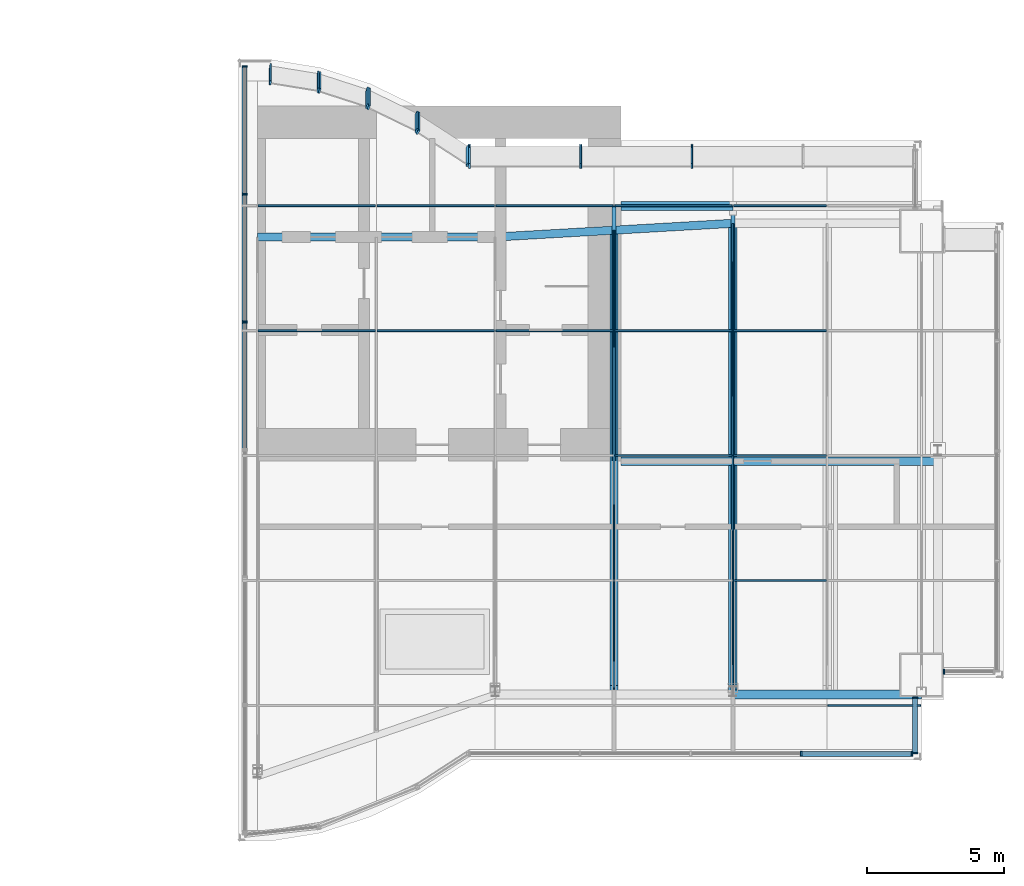
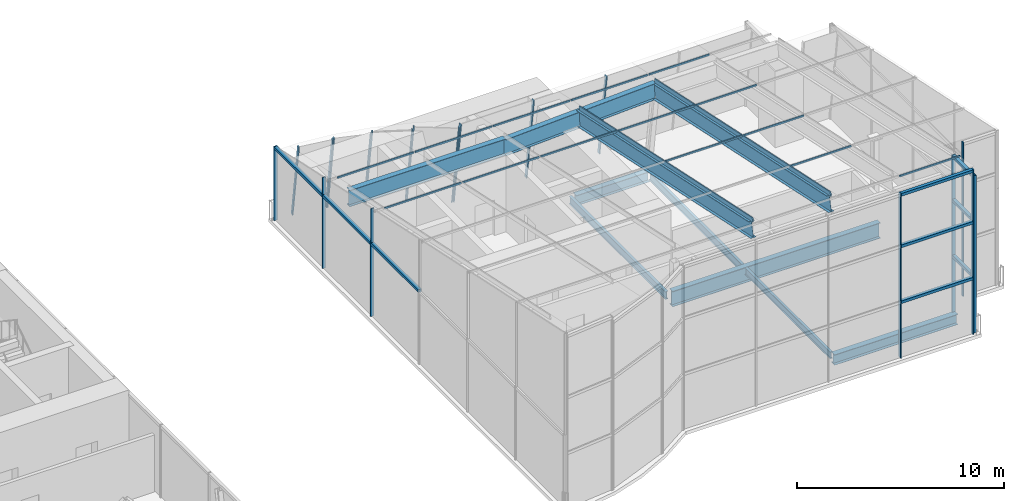
# One storey, part 6 of 17: 46 members, 10 beams, 11 elements without a shape of their own.
"""IFC4 building model written with IfcOpenShell, lengths in metres."""

from ifc_helpers import new_model, si_unit, direction, frame, origin, origin_2d, place, context, subcontext, project, spatial, rectangle, i_section, extrude, material, material_profile, profile_set, type_object, element, aggregate, save


model = new_model("IFC4")

# Units and contexts
model_context = context("Model", 3, precision=1e-05, world=origin(), true_north=direction((0.0, 1.0)))
body_context = subcontext(model_context, "Body", "Model", "MODEL_VIEW")
ifc_project = project(units=[si_unit("LENGTHUNIT", "METRE"), si_unit("AREAUNIT", "SQUARE_METRE"), si_unit("VOLUMEUNIT", "CUBIC_METRE"), si_unit("PLANEANGLEUNIT", "RADIAN"), si_unit("MASSUNIT", "GRAM", prefix="KILO")], contexts=[model_context])

# Site, building, storey
site_placement = place(None, origin())
site = spatial("IfcSite", under=ifc_project, at=site_placement, CompositionType="ELEMENT")
building_placement = place(site_placement, origin())
building = spatial("IfcBuilding", under=site, at=building_placement, Name="Bicima Exchange Tower", CompositionType="ELEMENT")
storey_placement = place(building_placement, frame((0.0, 0.0, 356.89990234375)))
storey = spatial("IfcBuildingStorey", under=building, at=storey_placement, Name="L80", CompositionType="ELEMENT", Elevation=356.89990234375)

# Beam
ifc_material_1 = material(Name="Steel ASTM A992 Gr 50", Category="steel")
ifc_material_profile_1 = material_profile(ifc_material_1, i_section(OverallWidth=0.3046875, OverallDepth=0.911865234375, WebThickness=0.015869140625, FlangeThickness=0.02392578125, at=origin_2d()))
ifc_profile_set_1 = profile_set([ifc_material_profile_1], Name="Steel ASTM A992 Gr 50")
beam_type_1 = type_object("IfcBeamType", Name="Core-line girder W36x150", PredefinedType="BEAM", material=ifc_profile_set_1)
beam_1_placement = place(storey_placement, frame((22.0, -13.0, -0.65576171875), z_axis=(1.0, 0.0, 0.0), x_axis=(0.0, 1.0, 0.0)))
element("IfcBeam", 1, at=beam_1_placement, inside=storey, type_object=beam_type_1, Name="Core-line girder", PredefinedType="BEAM", context=body_context, shape_type="SweptSolid", body=[
    extrude(i_section(OverallWidth=0.3046875, OverallDepth=0.911865234375, WebThickness=0.015869140625, FlangeThickness=0.02392578125, at=origin_2d()), origin(), (0.0, 0.0, 1.0), 11.60009765625),
])

# Curtain wall, members
ifc_material_2 = material(Name="Anodised bronze aluminium", Category="aluminium")
curtain_wall_type = type_object("IfcCurtainWallType", Name="Crown glass wall", PredefinedType="NOTDEFINED", material=ifc_material_2)
curtain_wall_1_placement = place(storey_placement, origin())
curtain_wall_1 = element("IfcCurtainWall", 2, at=curtain_wall_1_placement, inside=storey, type_object=curtain_wall_type, Name="Crown glass wall L80 run 8", PredefinedType="NOTDEFINED")
ifc_material_profile_2 = material_profile(ifc_material_2, rectangle(XDim=0.179931640625, YDim=0.06005859375, at=origin_2d()))
ifc_profile_set_2 = profile_set([ifc_material_profile_2], Name="Anodised bronze aluminium")
member_type_1 = type_object("IfcMemberType", Name="Crown glass wall mullion 60 x 180", PredefinedType="MULLION", material=ifc_profile_set_2)
member_1_placement = place(storey_placement, frame((8.22998046875, 1.43798828125, 0.0), z_axis=(0.0, 0.0, 1.0), x_axis=(1.0, 0.0, 0.0)))
member_1 = element("IfcMember", 3, at=member_1_placement, type_object=member_type_1, Name="Crown glass wall mullion 1", PredefinedType="MULLION", context=body_context, shape_type="SweptSolid", body=[
    extrude(rectangle(XDim=0.179931640625, YDim=0.06005859375, at=origin_2d()), origin(), (0.0, 0.0, 1.0), 4.36962890625),
])
member_2_placement = place(storey_placement, frame((8.22998046875, -3.227783203125, 0.0), z_axis=(0.0, 0.0, 1.0), x_axis=(1.0, 0.0, 0.0)))
member_2 = element("IfcMember", 4, at=member_2_placement, type_object=member_type_1, Name="Crown glass wall mullion 2", PredefinedType="MULLION", context=body_context, shape_type="SweptSolid", body=[
    extrude(rectangle(XDim=0.179931640625, YDim=0.06005859375, at=origin_2d()), origin(), (0.0, 0.0, 1.0), 4.36962890625),
])
member_3_placement = place(storey_placement, frame((8.22998046875, -7.8935546875, 0.0), z_axis=(0.0, 0.0, 1.0), x_axis=(1.0, 0.0, 0.0)))
member_3 = element("IfcMember", 5, at=member_3_placement, type_object=member_type_1, Name="Crown glass wall mullion 3", PredefinedType="MULLION", context=body_context, shape_type="SweptSolid", body=[
    extrude(rectangle(XDim=0.179931640625, YDim=0.06005859375, at=origin_2d()), origin(), (0.0, 0.0, 1.0), 4.36962890625),
])

curtain_wall_2_placement = place(storey_placement, origin())
curtain_wall_2 = element("IfcCurtainWall", 6, at=curtain_wall_2_placement, inside=storey, type_object=curtain_wall_type, Name="Crown glass wall L80 run 12", PredefinedType="NOTDEFINED")
member_4_placement = place(storey_placement, frame((28.60302734375, -23.714111328125, 0.0), z_axis=(0.0, 0.0, 1.0), x_axis=(0.0, 1.0, 0.0)))
member_4 = element("IfcMember", 7, at=member_4_placement, type_object=member_type_1, Name="Crown glass wall mullion 4", PredefinedType="MULLION", context=body_context, shape_type="SweptSolid", body=[
    extrude(rectangle(XDim=0.179931640625, YDim=0.06005859375, at=origin_2d()), origin(), (0.0, 0.0, 1.0), 9.72216796875),
])
member_5_placement = place(storey_placement, frame((32.64990234375, -23.714111328125, 0.0), z_axis=(0.0, 0.0, 1.0), x_axis=(0.0, 1.0, 0.0)))
member_5 = element("IfcMember", 8, at=member_5_placement, type_object=member_type_1, Name="Crown glass wall mullion 5", PredefinedType="MULLION", context=body_context, shape_type="SweptSolid", body=[
    extrude(rectangle(XDim=0.179931640625, YDim=0.06005859375, at=origin_2d()), origin(), (0.0, 0.0, 1.0), 9.72216796875),
])

curtain_wall_3_placement = place(storey_placement, origin())
curtain_wall_3 = element("IfcCurtainWall", 9, at=curtain_wall_3_placement, inside=storey, type_object=curtain_wall_type, Name="Crown glass wall L80 run 13", PredefinedType="NOTDEFINED")
member_6_placement = place(storey_placement, frame((32.77001953125, -23.68408203125, 0.0), z_axis=(0.0, 0.0, 1.0), x_axis=(-1.0, 0.0, 0.0)))
member_6 = element("IfcMember", 10, at=member_6_placement, type_object=member_type_1, Name="Crown glass wall mullion 1", PredefinedType="MULLION", context=body_context, shape_type="SweptSolid", body=[
    extrude(rectangle(XDim=0.179931640625, YDim=0.06005859375, at=origin_2d()), origin(), (0.0, 0.0, 1.0), 9.277587890625),
])
member_7_placement = place(storey_placement, frame((32.77001953125, -21.652099609375, 0.0), z_axis=(0.0, 0.0, 1.0), x_axis=(-1.0, 0.0, 0.0)))
member_7 = element("IfcMember", 11, at=member_7_placement, type_object=member_type_1, Name="Crown glass wall mullion 2", PredefinedType="MULLION", context=body_context, shape_type="SweptSolid", body=[
    extrude(rectangle(XDim=0.179931640625, YDim=0.06005859375, at=origin_2d()), origin(), (0.0, 0.0, 1.0), 9.277587890625),
])

# Curtain wall, member
curtain_wall_4_placement = place(storey_placement, origin())
curtain_wall_4 = element("IfcCurtainWall", 12, at=curtain_wall_4_placement, inside=storey, type_object=curtain_wall_type, Name="Crown glass wall L80 run 14", PredefinedType="NOTDEFINED")
member_8_placement = place(storey_placement, frame((33.830078125, -20.714111328125, 0.0), z_axis=(0.0, 0.0, 1.0), x_axis=(0.0, 1.0, 0.0)))
member_8 = element("IfcMember", 13, at=member_8_placement, type_object=member_type_1, Name="Crown glass wall mullion 1", PredefinedType="MULLION", context=body_context, shape_type="SweptSolid", body=[
    extrude(rectangle(XDim=0.179931640625, YDim=0.06005859375, at=origin_2d()), origin(), (0.0, 0.0, 1.0), 9.08447265625),
])
aggregate(curtain_wall_4, [member_8])

# Curtain wall, members
curtain_wall_5_placement = place(storey_placement, origin())
curtain_wall_5 = element("IfcCurtainWall", 14, at=curtain_wall_5_placement, inside=storey, type_object=curtain_wall_type, Name="Crown tilted glass L80 2.1", PredefinedType="NOTDEFINED")
member_9_placement = place(storey_placement, frame((24.60107421875, -1.494873046875, 0.0), z_axis=(0.0, -0.139173327963, 0.990268036838), x_axis=(0.0, -0.990268036838, -0.139173327963)))
member_9 = element("IfcMember", 15, at=member_9_placement, type_object=member_type_1, Name="Crown tilted mullion 3", PredefinedType="MULLION", context=body_context, shape_type="SweptSolid", body=[
    extrude(rectangle(XDim=0.179931640625, YDim=0.06005859375, at=origin_2d()), origin(), (0.0, 0.0, 1.0), 5.048583984375),
])
member_10_placement = place(storey_placement, frame((20.531494140625, -1.494873046875, 0.0), z_axis=(0.0, -0.139173327963, 0.990268036838), x_axis=(0.0, -0.990268036838, -0.139173327963)))
member_10 = element("IfcMember", 16, at=member_10_placement, type_object=member_type_1, Name="Crown tilted mullion 4", PredefinedType="MULLION", context=body_context, shape_type="SweptSolid", body=[
    extrude(rectangle(XDim=0.179931640625, YDim=0.06005859375, at=origin_2d()), origin(), (0.0, 0.0, 1.0), 5.048583984375),
])
member_11_placement = place(storey_placement, frame((16.462158203125, -1.494873046875, 0.0), z_axis=(0.0, -0.139173327963, 0.990268036838), x_axis=(0.0, -0.990268036838, -0.139173327963)))
member_11 = element("IfcMember", 17, at=member_11_placement, type_object=member_type_1, Name="Crown tilted mullion 5", PredefinedType="MULLION", context=body_context, shape_type="SweptSolid", body=[
    extrude(rectangle(XDim=0.179931640625, YDim=0.06005859375, at=origin_2d()), origin(), (0.0, 0.0, 1.0), 5.048583984375),
])
aggregate(curtain_wall_5, [member_9, member_10, member_11])

curtain_wall_6_placement = place(storey_placement, origin())
curtain_wall_6 = element("IfcCurtainWall", 18, at=curtain_wall_6_placement, inside=storey, type_object=curtain_wall_type, Name="Crown tilted glass L80 3.1", PredefinedType="NOTDEFINED")
member_12_placement = place(storey_placement, frame((16.406982421875, -1.478515625, 0.0), z_axis=(0.0, -0.139207953343, 0.990263169933), x_axis=(-0.542910648791, -0.831613569321, -0.116905512062)))
member_12 = element("IfcMember", 19, at=member_12_placement, type_object=member_type_1, Name="Crown tilted mullion 1", PredefinedType="MULLION", context=body_context, shape_type="SweptSolid", body=[
    extrude(rectangle(XDim=0.179931640625, YDim=0.06005859375, at=origin_2d()), origin(), (0.0, 0.0, 1.0), 4.787841796875),
])
member_13_placement = place(storey_placement, frame((14.578857421875, -0.296875, 0.0), z_axis=(0.0, -0.139157949051, 0.990270198085), x_axis=(-0.542910648791, -0.831619471496, -0.116863518935)))
member_13 = element("IfcMember", 20, at=member_13_placement, type_object=member_type_1, Name="Crown tilted mullion 2", PredefinedType="MULLION", context=body_context, shape_type="SweptSolid", body=[
    extrude(rectangle(XDim=0.179931640625, YDim=0.06005859375, at=origin_2d()), origin(), (0.0, 0.0, 1.0), 4.787841796875),
])
aggregate(curtain_wall_6, [member_12, member_13])

curtain_wall_7_placement = place(storey_placement, origin())
curtain_wall_7 = element("IfcCurtainWall", 21, at=curtain_wall_7_placement, inside=storey, type_object=curtain_wall_type, Name="Crown tilted glass L80 4.1", PredefinedType="NOTDEFINED")
member_14_placement = place(storey_placement, frame((14.526611328125, -0.267333984375, 0.0), z_axis=(0.0, -0.139214170974, 0.990262295859), x_axis=(-0.436264762204, -0.89105618197, -0.125267465179)))
member_14 = element("IfcMember", 22, at=member_14_placement, type_object=member_type_1, Name="Crown tilted mullion 1", PredefinedType="MULLION", context=body_context, shape_type="SweptSolid", body=[
    extrude(rectangle(XDim=0.179931640625, YDim=0.06005859375, at=origin_2d()), origin(), (0.0, 0.0, 1.0), 4.599853515625),
])
member_15_placement = place(storey_placement, frame((12.7744140625, 0.582275390625, 0.0), z_axis=(0.0, -0.139214170974, 0.990262295859), x_axis=(-0.436264762204, -0.89105618197, -0.125267465179)))
member_15 = element("IfcMember", 23, at=member_15_placement, type_object=member_type_1, Name="Crown tilted mullion 2", PredefinedType="MULLION", context=body_context, shape_type="SweptSolid", body=[
    extrude(rectangle(XDim=0.179931640625, YDim=0.06005859375, at=origin_2d()), origin(), (0.0, 0.0, 1.0), 4.599853515625),
])
aggregate(curtain_wall_7, [member_14, member_15])

curtain_wall_8_placement = place(storey_placement, origin())
curtain_wall_8 = element("IfcCurtainWall", 24, at=curtain_wall_8_placement, inside=storey, type_object=curtain_wall_type, Name="Crown tilted glass L80 5.1", PredefinedType="NOTDEFINED")
member_16_placement = place(storey_placement, frame((12.71875, 0.6044921875, 0.0), z_axis=(0.0, -0.139175418029, 0.990267743096), x_axis=(-0.307572519808, -0.942264160111, -0.132428839868)))
member_16 = element("IfcMember", 25, at=member_16_placement, type_object=member_type_1, Name="Crown tilted mullion 1", PredefinedType="MULLION", context=body_context, shape_type="SweptSolid", body=[
    extrude(rectangle(XDim=0.179931640625, YDim=0.06005859375, at=origin_2d()), origin(), (0.0, 0.0, 1.0), 4.474853515625),
])
member_17_placement = place(storey_placement, frame((10.974609375, 1.168212890625, 0.0), z_axis=(0.0, -0.139121916981, 0.990275260832), x_axis=(-0.307572519808, -0.942271313422, -0.132377932303)))
member_17 = element("IfcMember", 26, at=member_17_placement, type_object=member_type_1, Name="Crown tilted mullion 2", PredefinedType="MULLION", context=body_context, shape_type="SweptSolid", body=[
    extrude(rectangle(XDim=0.179931640625, YDim=0.06005859375, at=origin_2d()), origin(), (0.0, 0.0, 1.0), 4.474853515625),
])
aggregate(curtain_wall_8, [member_16, member_17])

curtain_wall_9_placement = place(storey_placement, origin())
curtain_wall_9 = element("IfcCurtainWall", 27, at=curtain_wall_9_placement, inside=storey, type_object=curtain_wall_type, Name="Crown tilted glass L80 6.1", PredefinedType="NOTDEFINED")
member_18_placement = place(storey_placement, frame((10.91650390625, 1.182373046875, 0.0), z_axis=(0.0, -0.139205662411, 0.990263491982), x_axis=(-0.159550386184, -0.977578005078, -0.137422408134)))
member_18 = element("IfcMember", 28, at=member_18_placement, type_object=member_type_1, Name="Crown tilted mullion 1", PredefinedType="MULLION", context=body_context, shape_type="SweptSolid", body=[
    extrude(rectangle(XDim=0.179931640625, YDim=0.06005859375, at=origin_2d()), origin(), (0.0, 0.0, 1.0), 4.41259765625),
])
member_19_placement = place(storey_placement, frame((9.177734375, 1.46337890625, 0.0), z_axis=(0.0, -0.139205662411, 0.990263491982), x_axis=(-0.159550386184, -0.977578005078, -0.137422408134)))
member_19 = element("IfcMember", 29, at=member_19_placement, type_object=member_type_1, Name="Crown tilted mullion 2", PredefinedType="MULLION", context=body_context, shape_type="SweptSolid", body=[
    extrude(rectangle(XDim=0.179931640625, YDim=0.06005859375, at=origin_2d()), origin(), (0.0, 0.0, 1.0), 4.41259765625),
])
aggregate(curtain_wall_9, [member_18, member_19])

curtain_wall_10_placement = place(storey_placement, origin())
curtain_wall_10 = element("IfcCurtainWall", 30, at=curtain_wall_10_placement, inside=storey, type_object=curtain_wall_type, Name="Gable glazing east 8", PredefinedType="NOTDEFINED")
member_20_placement = place(storey_placement, frame((8.22998046875, -3.242919921875, 4.36962890625), z_axis=(0.0, 0.0, 1.0), x_axis=(1.0, 0.0, 0.0)))
member_20 = element("IfcMember", 31, at=member_20_placement, type_object=member_type_1, Name="Gable glazing mullion 2", PredefinedType="MULLION", context=body_context, shape_type="SweptSolid", body=[
    extrude(rectangle(XDim=0.179931640625, YDim=0.06005859375, at=origin_2d()), origin(), (0.0, 0.0, 1.0), 1.001220703125),
])
member_21_placement = place(storey_placement, frame((8.22998046875, -7.923583984375, 4.36962890625), z_axis=(0.0, 0.0, 1.0), x_axis=(1.0, 0.0, 0.0)))
member_21 = element("IfcMember", 32, at=member_21_placement, type_object=member_type_1, Name="Gable glazing mullion 3", PredefinedType="MULLION", context=body_context, shape_type="SweptSolid", body=[
    extrude(rectangle(XDim=0.179931640625, YDim=0.06005859375, at=origin_2d()), origin(), (0.0, 0.0, 1.0), 1.996337890625),
])
aggregate(curtain_wall_10, [member_20, member_21])

# Member
ifc_material_profile_3 = material_profile(ifc_material_2, rectangle(XDim=0.179931640625, YDim=0.159912109375, at=origin_2d()))
ifc_profile_set_3 = profile_set([ifc_material_profile_3], Name="Anodised bronze aluminium")
member_type_2 = type_object("IfcMemberType", Name="Crown glass wall transom 160 x 180", PredefinedType="USERDEFINED", material=ifc_profile_set_3)
member_22_placement = place(storey_placement, frame((8.22998046875, 1.408203125, 4.28955078125), z_axis=(0.0, -1.0, 0.0), x_axis=(1.0, 0.0, 0.0)))
member_22 = element("IfcMember", 33, at=member_22_placement, type_object=member_type_2, Name="Crown glass wall transom 1.1", ObjectType="TRANSOM", PredefinedType="USERDEFINED", context=body_context, shape_type="SweptSolid", body=[
    extrude(rectangle(XDim=0.179931640625, YDim=0.159912109375, at=origin_2d()), origin(), (0.0, 0.0, 1.0), 4.60595703125),
])

member_23_placement = place(storey_placement, frame((8.22998046875, -3.2578125, 4.28955078125), z_axis=(0.0, -1.0, 0.0), x_axis=(1.0, 0.0, 0.0)))
member_23 = element("IfcMember", 34, at=member_23_placement, type_object=member_type_2, Name="Crown glass wall transom 2.1", ObjectType="TRANSOM", PredefinedType="USERDEFINED", context=body_context, shape_type="SweptSolid", body=[
    extrude(rectangle(XDim=0.179931640625, YDim=0.159912109375, at=origin_2d()), origin(), (0.0, 0.0, 1.0), 4.605712890625),
])

member_24_placement = place(storey_placement, frame((8.22998046875, -7.923583984375, 4.28955078125), z_axis=(0.0, -1.0, 0.0), x_axis=(1.0, 0.0, 0.0)))
member_24 = element("IfcMember", 35, at=member_24_placement, type_object=member_type_2, Name="Crown glass wall transom 3.1", ObjectType="TRANSOM", PredefinedType="USERDEFINED", context=body_context, shape_type="SweptSolid", body=[
    extrude(rectangle(XDim=0.179931640625, YDim=0.159912109375, at=origin_2d()), origin(), (0.0, 0.0, 1.0), 4.605712890625),
])

aggregate(curtain_wall_1, [member_1, member_2, member_3, member_22, member_23, member_24])

member_25_placement = place(storey_placement, frame((28.633056640625, -23.714111328125, 3.300048828125), z_axis=(1.0, 0.0, 0.0), x_axis=(0.0, 1.0, 0.0)))
member_25 = element("IfcMember", 36, at=member_25_placement, type_object=member_type_2, Name="Crown glass wall transom 4.1", ObjectType="TRANSOM", PredefinedType="USERDEFINED", context=body_context, shape_type="SweptSolid", body=[
    extrude(rectangle(XDim=0.179931640625, YDim=0.159912109375, at=origin_2d()), origin(), (0.0, 0.0, 1.0), 3.987060546875),
])

member_26_placement = place(storey_placement, frame((28.633056640625, -23.714111328125, 6.60009765625), z_axis=(1.0, 0.0, 0.0), x_axis=(0.0, 1.0, 0.0)))
member_26 = element("IfcMember", 37, at=member_26_placement, type_object=member_type_2, Name="Crown glass wall transom 4.2", ObjectType="TRANSOM", PredefinedType="USERDEFINED", context=body_context, shape_type="SweptSolid", body=[
    extrude(rectangle(XDim=0.179931640625, YDim=0.159912109375, at=origin_2d()), origin(), (0.0, 0.0, 1.0), 3.987060546875),
])

member_27_placement = place(storey_placement, frame((28.633056640625, -23.714111328125, 9.64208984375), z_axis=(1.0, 0.0, 0.0), x_axis=(0.0, 1.0, 0.0)))
member_27 = element("IfcMember", 38, at=member_27_placement, type_object=member_type_2, Name="Crown glass wall transom 4.3", ObjectType="TRANSOM", PredefinedType="USERDEFINED", context=body_context, shape_type="SweptSolid", body=[
    extrude(rectangle(XDim=0.179931640625, YDim=0.159912109375, at=origin_2d()), origin(), (0.0, 0.0, 1.0), 3.987060546875),
])

aggregate(curtain_wall_2, [member_4, member_5, member_25, member_26, member_27])

member_28_placement = place(storey_placement, frame((32.77001953125, -23.654052734375, 3.300048828125), z_axis=(0.0, 1.0, 0.0), x_axis=(-1.0, 0.0, 0.0)))
member_28 = element("IfcMember", 39, at=member_28_placement, type_object=member_type_2, Name="Crown glass wall transom 1.1", ObjectType="TRANSOM", PredefinedType="USERDEFINED", context=body_context, shape_type="SweptSolid", body=[
    extrude(rectangle(XDim=0.179931640625, YDim=0.159912109375, at=origin_2d()), origin(), (0.0, 0.0, 1.0), 1.97216796875),
])

member_29_placement = place(storey_placement, frame((32.77001953125, -23.654052734375, 6.60009765625), z_axis=(0.0, 1.0, 0.0), x_axis=(-1.0, 0.0, 0.0)))
member_29 = element("IfcMember", 40, at=member_29_placement, type_object=member_type_2, Name="Crown glass wall transom 1.2", ObjectType="TRANSOM", PredefinedType="USERDEFINED", context=body_context, shape_type="SweptSolid", body=[
    extrude(rectangle(XDim=0.179931640625, YDim=0.159912109375, at=origin_2d()), origin(), (0.0, 0.0, 1.0), 1.97216796875),
])

member_30_placement = place(storey_placement, frame((32.77001953125, -23.654052734375, 9.197509765625), z_axis=(0.0, 1.0, 0.0), x_axis=(-1.0, 0.0, 0.0)))
member_30 = element("IfcMember", 41, at=member_30_placement, type_object=member_type_2, Name="Crown glass wall transom 1.3", ObjectType="TRANSOM", PredefinedType="USERDEFINED", context=body_context, shape_type="SweptSolid", body=[
    extrude(rectangle(XDim=0.179931640625, YDim=0.159912109375, at=origin_2d()), origin(), (0.0, 0.0, 1.0), 1.97216796875),
])

aggregate(curtain_wall_3, [member_6, member_7, member_28, member_29, member_30])

# Beams
ifc_material_profile_4 = material_profile(ifc_material_1, i_section(OverallWidth=0.140380859375, OverallDepth=0.40380859375, WebThickness=0.007080078125, FlangeThickness=0.01123046875, at=origin_2d()))
ifc_profile_set_4 = profile_set([ifc_material_profile_4], Name="Steel ASTM A992 Gr 50")
beam_type_2 = type_object("IfcBeamType", Name="Floor beam W16x31", PredefinedType="JOIST", material=ifc_profile_set_4)
beam_2_placement = place(storey_placement, frame((26.10009765625, -13.15234375, -0.40185546875), z_axis=(0.0, -1.0, 0.0), x_axis=(1.0, 0.0, 0.0)))
element("IfcBeam", 42, at=beam_2_placement, inside=storey, type_object=beam_type_2, Name="Floor beam", PredefinedType="JOIST", context=body_context, shape_type="SweptSolid", body=[
    extrude(i_section(OverallWidth=0.140380859375, OverallDepth=0.40380859375, WebThickness=0.007080078125, FlangeThickness=0.01123046875, at=origin_2d()), origin(), (0.0, 0.0, 1.0), 8.22900390625),
])
ifc_material_profile_5 = material_profile(ifc_material_1, i_section(OverallWidth=0.15283203125, OverallDepth=0.45458984375, WebThickness=0.008056640625, FlangeThickness=0.013427734375, at=origin_2d()))
ifc_profile_set_5 = profile_set([ifc_material_profile_5], Name="Steel ASTM A992 Gr 50")
beam_type_3 = type_object("IfcBeamType", Name="Floor beam W18x40", PredefinedType="JOIST", material=ifc_profile_set_5)
beam_3_placement = place(storey_placement, frame((21.75, -3.664794921875, -0.42724609375), z_axis=(0.0, -1.0, 0.0), x_axis=(1.0, 0.0, 0.0)))
element("IfcBeam", 43, at=beam_3_placement, inside=storey, type_object=beam_type_3, Name="Floor beam", PredefinedType="JOIST", context=body_context, shape_type="SweptSolid", body=[
    extrude(i_section(OverallWidth=0.15283203125, OverallDepth=0.45458984375, WebThickness=0.008056640625, FlangeThickness=0.013427734375, at=origin_2d()), origin(), (0.0, 0.0, 1.0), 9.335205078125),
])
beam_4_placement = place(storey_placement, frame((26.10009765625, -3.827392578125, -0.42724609375), z_axis=(0.0, -1.0, 0.0), x_axis=(1.0, 0.0, 0.0)))
element("IfcBeam", 44, at=beam_4_placement, inside=storey, type_object=beam_type_3, Name="Floor beam", PredefinedType="JOIST", context=body_context, shape_type="SweptSolid", body=[
    extrude(i_section(OverallWidth=0.15283203125, OverallDepth=0.45458984375, WebThickness=0.008056640625, FlangeThickness=0.013427734375, at=origin_2d()), origin(), (0.0, 0.0, 1.0), 9.020263671875),
])
ifc_material_profile_6 = material_profile(ifc_material_1, i_section(OverallWidth=0.3251953125, OverallDepth=0.612060546875, WebThickness=0.0126953125, FlangeThickness=0.01904296875, at=origin_2d()))
ifc_profile_set_6 = profile_set([ifc_material_profile_6], Name="Steel ASTM A992 Gr 50")
beam_type_4 = type_object("IfcBeamType", Name="Front girder W24x104", PredefinedType="BEAM", material=ifc_profile_set_6)
beam_5_placement = place(storey_placement, frame((26.10009765625, -21.5439453125, -0.506103515625), z_axis=(1.0, 0.0, 0.0), x_axis=(0.0, 1.0, 0.0)))
element("IfcBeam", 45, at=beam_5_placement, inside=storey, type_object=beam_type_4, Name="Front girder", PredefinedType="BEAM", context=body_context, shape_type="SweptSolid", body=[
    extrude(i_section(OverallWidth=0.3251953125, OverallDepth=0.612060546875, WebThickness=0.0126953125, FlangeThickness=0.01904296875, at=origin_2d()), origin(), (0.0, 0.0, 1.0), 6.89990234375),
])
beam_type_5 = type_object("IfcBeamType", Name="Rear girder W24x104", PredefinedType="BEAM", material=ifc_profile_set_6)
beam_6_placement = place(storey_placement, frame((22.0, -3.664794921875, -0.506103515625), z_axis=(1.0, 0.0, 0.0), x_axis=(0.0, 1.0, 0.0)))
element("IfcBeam", 46, at=beam_6_placement, inside=storey, type_object=beam_type_5, Name="Rear girder", PredefinedType="BEAM", context=body_context, shape_type="SweptSolid", body=[
    extrude(i_section(OverallWidth=0.3251953125, OverallDepth=0.612060546875, WebThickness=0.0126953125, FlangeThickness=0.01904296875, at=origin_2d()), origin(), (0.0, 0.0, 1.0), 4.10009765625),
])
ifc_material_profile_7 = material_profile(ifc_material_1, i_section(OverallWidth=0.2998046875, OverallDepth=0.97021484375, WebThickness=0.01611328125, FlangeThickness=0.02099609375, at=origin_2d()))
ifc_profile_set_7 = profile_set([ifc_material_profile_7], Name="Steel ASTM A992 Gr 50")
beam_type_6 = type_object("IfcBeamType", Name="Roof eave beam W40x149", PredefinedType="BEAM", material=ifc_profile_set_7)
beam_7_placement = place(storey_placement, frame((8.699951171875, -4.800048828125, 4.9619140625), z_axis=(1.0, 0.0, 0.0), x_axis=(0.0, 1.0, 0.0)))
element("IfcBeam", 47, at=beam_7_placement, inside=storey, type_object=beam_type_6, Name="Roof eave beam", PredefinedType="BEAM", context=body_context, shape_type="SweptSolid", body=[
    extrude(i_section(OverallWidth=0.2998046875, OverallDepth=0.97021484375, WebThickness=0.01611328125, FlangeThickness=0.02099609375, at=origin_2d()), origin(), (0.0, 0.0, 1.0), 8.699951171875),
])
beam_8_placement = place(storey_placement, frame((17.39990234375, -4.800048828125, 4.908203125), z_axis=(0.998334981437, 0.057682448276, 0.0), x_axis=(-0.057682448276, 0.998334981437, 0.0)))
element("IfcBeam", 48, at=beam_8_placement, inside=storey, type_object=beam_type_6, Name="Roof eave beam", PredefinedType="BEAM", context=body_context, shape_type="SweptSolid", body=[
    extrude(i_section(OverallWidth=0.2998046875, OverallDepth=0.97021484375, WebThickness=0.01611328125, FlangeThickness=0.02099609375, at=origin_2d()), origin(), (0.0, 0.0, 1.0), 8.714599609375),
])

# Curtain wall, members
curtain_wall_11_placement = place(storey_placement, origin())
curtain_wall_11 = element("IfcCurtainWall", 49, at=curtain_wall_11_placement, inside=storey, type_object=curtain_wall_type, Name="Roof glazing east", PredefinedType="NOTDEFINED")
ifc_material_profile_8 = material_profile(ifc_material_2, rectangle(XDim=0.06005859375, YDim=0.248291015625, at=origin_2d()))
ifc_profile_set_8 = profile_set([ifc_material_profile_8], Name="Anodised bronze aluminium")
member_type_3 = type_object("IfcMemberType", Name="Roof glazing bar 60 x 248", PredefinedType="USERDEFINED", material=ifc_profile_set_8)
member_31_placement = place(storey_placement, frame((21.75, -4.58349609375, 5.521484375), z_axis=(0.0, -0.978148632606, 0.207906836184), x_axis=(1.0, 0.0, 0.0)))
member_31 = element("IfcMember", 50, at=member_31_placement, type_object=member_type_3, Name="Roof glazing bar east rafter 4", ObjectType="GLAZING BAR", PredefinedType="USERDEFINED", context=body_context, shape_type="SweptSolid", body=[
    extrude(rectangle(XDim=0.06005859375, YDim=0.248291015625, at=origin_2d()), origin(), (0.0, 0.0, 1.0), 17.125732421875),
])
member_32_placement = place(storey_placement, frame((26.10009765625, -4.332275390625, 5.468017578125), z_axis=(0.0, -0.978147819599, 0.207910661136), x_axis=(1.0, 0.0, 0.0)))
member_32 = element("IfcMember", 51, at=member_32_placement, type_object=member_type_3, Name="Roof glazing bar east rafter 5", ObjectType="GLAZING BAR", PredefinedType="USERDEFINED", context=body_context, shape_type="SweptSolid", body=[
    extrude(rectangle(XDim=0.06005859375, YDim=0.248291015625, at=origin_2d()), origin(), (0.0, 0.0, 1.0), 17.382568359375),
])
ifc_material_profile_9 = material_profile(ifc_material_2, rectangle(XDim=0.06005859375, YDim=0.090087890625, at=origin_2d()))
ifc_profile_set_9 = profile_set([ifc_material_profile_9], Name="Anodised bronze aluminium")
member_type_4 = type_object("IfcMemberType", Name="Roof glazing bar 60 x 90", PredefinedType="USERDEFINED", material=ifc_profile_set_9)
member_33_placement = place(storey_placement, frame((29.580078125, -21.94140625, 9.294189453125), z_axis=(1.0, 0.0, 0.0), x_axis=(0.0, 1.0, 0.0)))
member_33 = element("IfcMember", 52, at=member_33_placement, type_object=member_type_4, Name="Roof glazing bar east cross 1.7", ObjectType="GLAZING BAR", PredefinedType="USERDEFINED", context=body_context, shape_type="SweptSolid", body=[
    extrude(rectangle(XDim=0.06005859375, YDim=0.090087890625, at=origin_2d()), origin(), (0.0, 0.0, 1.0), 3.389892578125),
])
member_34_placement = place(storey_placement, frame((26.1298828125, -17.3701171875, 8.322509765625), z_axis=(1.0, 0.0, 0.0), x_axis=(0.0, 1.0, 0.0)))
member_34 = element("IfcMember", 53, at=member_34_placement, type_object=member_type_4, Name="Roof glazing bar east cross 2.6", ObjectType="GLAZING BAR", PredefinedType="USERDEFINED", context=body_context, shape_type="SweptSolid", body=[
    extrude(rectangle(XDim=0.06005859375, YDim=0.090087890625, at=origin_2d()), origin(), (0.0, 0.0, 1.0), 3.39013671875),
])
member_35_placement = place(storey_placement, frame((21.780029296875, -12.798583984375, 7.3505859375), z_axis=(1.0, 0.0, 0.0), x_axis=(0.0, 1.0, 0.0)))
member_35 = element("IfcMember", 54, at=member_35_placement, type_object=member_type_4, Name="Roof glazing bar east cross 3.5", ObjectType="GLAZING BAR", PredefinedType="USERDEFINED", context=body_context, shape_type="SweptSolid", body=[
    extrude(rectangle(XDim=0.06005859375, YDim=0.090087890625, at=origin_2d()), origin(), (0.0, 0.0, 1.0), 4.2900390625),
])
member_36_placement = place(storey_placement, frame((26.1298828125, -12.798583984375, 7.3505859375), z_axis=(1.0, 0.0, 0.0), x_axis=(0.0, 1.0, 0.0)))
member_36 = element("IfcMember", 55, at=member_36_placement, type_object=member_type_4, Name="Roof glazing bar east cross 3.6", ObjectType="GLAZING BAR", PredefinedType="USERDEFINED", context=body_context, shape_type="SweptSolid", body=[
    extrude(rectangle(XDim=0.06005859375, YDim=0.090087890625, at=origin_2d()), origin(), (0.0, 0.0, 1.0), 3.39013671875),
])
member_37_placement = place(storey_placement, frame((8.72998046875, -8.227294921875, 6.37890625), z_axis=(1.0, 0.0, 0.0), x_axis=(0.0, 1.0, 0.0)))
member_37 = element("IfcMember", 56, at=member_37_placement, type_object=member_type_4, Name="Roof glazing bar east cross 4.2", ObjectType="GLAZING BAR", PredefinedType="USERDEFINED", context=body_context, shape_type="SweptSolid", body=[
    extrude(rectangle(XDim=0.06005859375, YDim=0.090087890625, at=origin_2d()), origin(), (0.0, 0.0, 1.0), 4.2900390625),
])
member_38_placement = place(storey_placement, frame((13.080078125, -8.227294921875, 6.37890625), z_axis=(1.0, 0.0, 0.0), x_axis=(0.0, 1.0, 0.0)))
member_38 = element("IfcMember", 57, at=member_38_placement, type_object=member_type_4, Name="Roof glazing bar east cross 4.3", ObjectType="GLAZING BAR", PredefinedType="USERDEFINED", context=body_context, shape_type="SweptSolid", body=[
    extrude(rectangle(XDim=0.06005859375, YDim=0.090087890625, at=origin_2d()), origin(), (0.0, 0.0, 1.0), 4.2900390625),
])
member_39_placement = place(storey_placement, frame((17.429931640625, -8.227294921875, 6.37890625), z_axis=(1.0, 0.0, 0.0), x_axis=(0.0, 1.0, 0.0)))
member_39 = element("IfcMember", 58, at=member_39_placement, type_object=member_type_4, Name="Roof glazing bar east cross 4.4", ObjectType="GLAZING BAR", PredefinedType="USERDEFINED", context=body_context, shape_type="SweptSolid", body=[
    extrude(rectangle(XDim=0.06005859375, YDim=0.090087890625, at=origin_2d()), origin(), (0.0, 0.0, 1.0), 4.2900390625),
])
member_40_placement = place(storey_placement, frame((21.780029296875, -8.227294921875, 6.37890625), z_axis=(1.0, 0.0, 0.0), x_axis=(0.0, 1.0, 0.0)))
member_40 = element("IfcMember", 59, at=member_40_placement, type_object=member_type_4, Name="Roof glazing bar east cross 4.5", ObjectType="GLAZING BAR", PredefinedType="USERDEFINED", context=body_context, shape_type="SweptSolid", body=[
    extrude(rectangle(XDim=0.06005859375, YDim=0.090087890625, at=origin_2d()), origin(), (0.0, 0.0, 1.0), 4.2900390625),
])
member_41_placement = place(storey_placement, frame((26.1298828125, -8.227294921875, 6.37890625), z_axis=(1.0, 0.0, 0.0), x_axis=(0.0, 1.0, 0.0)))
member_41 = element("IfcMember", 60, at=member_41_placement, type_object=member_type_4, Name="Roof glazing bar east cross 4.6", ObjectType="GLAZING BAR", PredefinedType="USERDEFINED", context=body_context, shape_type="SweptSolid", body=[
    extrude(rectangle(XDim=0.06005859375, YDim=0.090087890625, at=origin_2d()), origin(), (0.0, 0.0, 1.0), 3.39013671875),
])
member_42_placement = place(storey_placement, frame((8.72998046875, -3.65576171875, 5.4072265625), z_axis=(1.0, 0.0, 0.0), x_axis=(0.0, 1.0, 0.0)))
member_42 = element("IfcMember", 61, at=member_42_placement, type_object=member_type_4, Name="Roof glazing bar east cross 5.2", ObjectType="GLAZING BAR", PredefinedType="USERDEFINED", context=body_context, shape_type="SweptSolid", body=[
    extrude(rectangle(XDim=0.06005859375, YDim=0.090087890625, at=origin_2d()), origin(), (0.0, 0.0, 1.0), 4.2900390625),
])
member_43_placement = place(storey_placement, frame((13.080078125, -3.65576171875, 5.4072265625), z_axis=(1.0, 0.0, 0.0), x_axis=(0.0, 1.0, 0.0)))
member_43 = element("IfcMember", 62, at=member_43_placement, type_object=member_type_4, Name="Roof glazing bar east cross 5.3", ObjectType="GLAZING BAR", PredefinedType="USERDEFINED", context=body_context, shape_type="SweptSolid", body=[
    extrude(rectangle(XDim=0.06005859375, YDim=0.090087890625, at=origin_2d()), origin(), (0.0, 0.0, 1.0), 4.2900390625),
])
member_44_placement = place(storey_placement, frame((17.429931640625, -3.65576171875, 5.4072265625), z_axis=(1.0, 0.0, 0.0), x_axis=(0.0, 1.0, 0.0)))
member_44 = element("IfcMember", 63, at=member_44_placement, type_object=member_type_4, Name="Roof glazing bar east cross 5.4", ObjectType="GLAZING BAR", PredefinedType="USERDEFINED", context=body_context, shape_type="SweptSolid", body=[
    extrude(rectangle(XDim=0.06005859375, YDim=0.090087890625, at=origin_2d()), origin(), (0.0, 0.0, 1.0), 4.2900390625),
])
member_45_placement = place(storey_placement, frame((21.780029296875, -3.65576171875, 5.4072265625), z_axis=(1.0, 0.0, 0.0), x_axis=(0.0, 1.0, 0.0)))
member_45 = element("IfcMember", 64, at=member_45_placement, type_object=member_type_4, Name="Roof glazing bar east cross 5.5", ObjectType="GLAZING BAR", PredefinedType="USERDEFINED", context=body_context, shape_type="SweptSolid", body=[
    extrude(rectangle(XDim=0.06005859375, YDim=0.090087890625, at=origin_2d()), origin(), (0.0, 0.0, 1.0), 4.2900390625),
])
member_46_placement = place(storey_placement, frame((26.1298828125, -3.65576171875, 5.4072265625), z_axis=(1.0, 0.0, 0.0), x_axis=(0.0, 1.0, 0.0)))
member_46 = element("IfcMember", 65, at=member_46_placement, type_object=member_type_4, Name="Roof glazing bar east cross 5.6", ObjectType="GLAZING BAR", PredefinedType="USERDEFINED", context=body_context, shape_type="SweptSolid", body=[
    extrude(rectangle(XDim=0.06005859375, YDim=0.090087890625, at=origin_2d()), origin(), (0.0, 0.0, 1.0), 3.39013671875),
])
aggregate(curtain_wall_11, [member_31, member_32, member_33, member_34, member_35, member_36, member_37, member_38, member_39, member_40, member_41, member_42, member_43, member_44, member_45, member_46])

# Beams
ifc_material_profile_10 = material_profile(ifc_material_1, i_section(OverallWidth=0.3046875, OverallDepth=0.904296875, WebThickness=0.01513671875, FlangeThickness=0.02001953125, at=origin_2d()))
ifc_profile_set_10 = profile_set([ifc_material_profile_10], Name="Steel ASTM A992 Gr 50")
beam_type_7 = type_object("IfcBeamType", Name="Roof rafter beam W36x135", PredefinedType="BEAM", material=ifc_profile_set_10)
beam_9_placement = place(storey_placement, frame((21.75, -4.548583984375, 4.94140625), z_axis=(0.0, -0.978148632606, 0.207906836184), x_axis=(1.0, 0.0, 0.0)))
element("IfcBeam", 66, at=beam_9_placement, inside=storey, type_object=beam_type_7, Name="Roof rafter beam", PredefinedType="BEAM", context=body_context, shape_type="SweptSolid", body=[
    extrude(i_section(OverallWidth=0.3046875, OverallDepth=0.904296875, WebThickness=0.01513671875, FlangeThickness=0.02001953125, at=origin_2d()), origin(), (0.0, 0.0, 1.0), 17.125732421875),
])
beam_10_placement = place(storey_placement, frame((26.10009765625, -4.29736328125, 4.887939453125), z_axis=(0.0, -0.978147819599, 0.207910661136), x_axis=(1.0, 0.0, 0.0)))
element("IfcBeam", 67, at=beam_10_placement, inside=storey, type_object=beam_type_7, Name="Roof rafter beam", PredefinedType="BEAM", context=body_context, shape_type="SweptSolid", body=[
    extrude(i_section(OverallWidth=0.3046875, OverallDepth=0.904296875, WebThickness=0.01513671875, FlangeThickness=0.02001953125, at=origin_2d()), origin(), (0.0, 0.0, 1.0), 17.382568359375),
])

save(model, "model.ifc")
